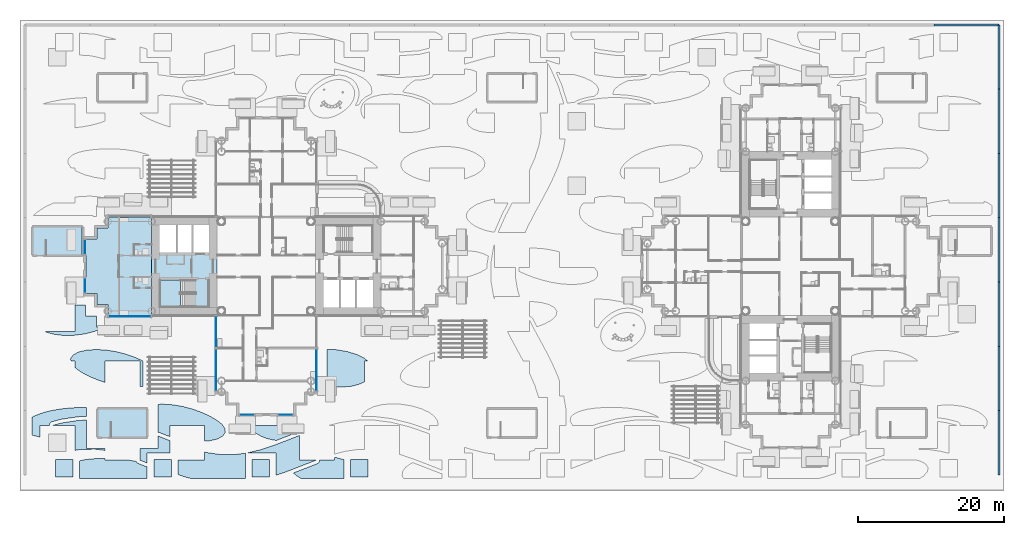
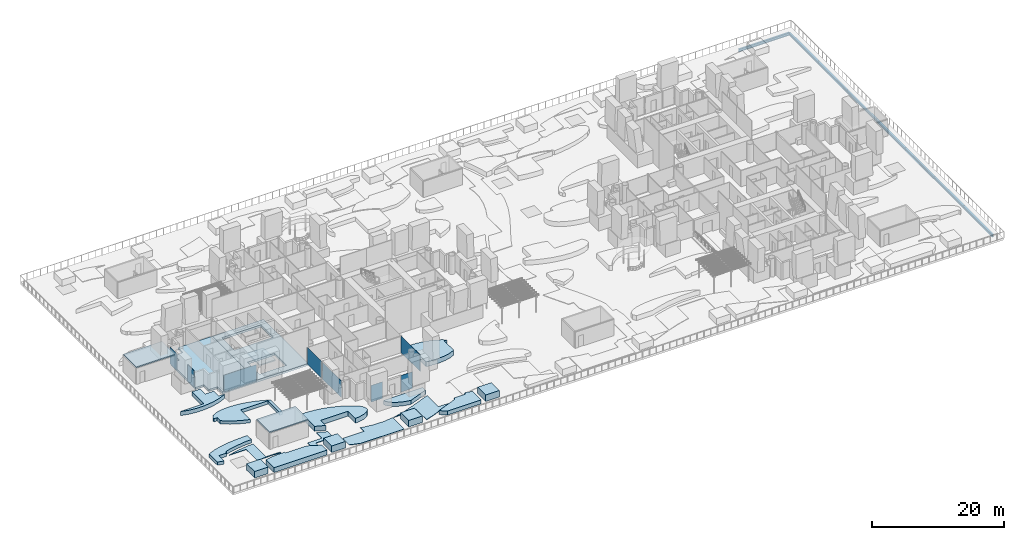
# One storey, part 17 of 40: 21 slabs, 8 beams, 8 plates, 9 elements without a shape of their own.
"""IFC4 building model written with IfcOpenShell, lengths in metres."""

from ifc_helpers import new_model, si_unit, direction, frame, origin, origin_2d, place, context, subcontext, project, spatial, polyline, rectangle, i_section, outline, extrude, material, layer, layer_set, material_profile, profile_set, type_object, element, aggregate, save


model = new_model("IFC4")

# Units and contexts
model_context = context("Model", 3, precision=1e-05, world=origin(), true_north=direction((0.0, 1.0)))
body_context = subcontext(model_context, "Body", "Model", "MODEL_VIEW")
ifc_project = project(units=[si_unit("LENGTHUNIT", "METRE"), si_unit("AREAUNIT", "SQUARE_METRE"), si_unit("VOLUMEUNIT", "CUBIC_METRE"), si_unit("PLANEANGLEUNIT", "RADIAN"), si_unit("MASSUNIT", "GRAM", prefix="KILO")], contexts=[model_context])

# Site, building, storey
site_placement = place(None, origin())
site = spatial("IfcSite", under=ifc_project, at=site_placement, CompositionType="ELEMENT")
building_placement = place(site_placement, origin())
building = spatial("IfcBuilding", under=site, at=building_placement, Name="Ipe Terrace Towers", CompositionType="ELEMENT")
storey_placement = place(building_placement, frame((0.0, 0.0, 24.5)))
storey = spatial("IfcBuildingStorey", under=building, at=storey_placement, Name="L05", CompositionType="ELEMENT", Elevation=24.5)

# Beams
ifc_material_1 = material(Name="Steel S355", Category="steel")
ifc_material_profile = material_profile(ifc_material_1, i_section(OverallWidth=0.300048828125, OverallDepth=0.488037109375, WebThickness=0.010986328125, FlangeThickness=0.01806640625, at=origin_2d()), Name="H-488x300x11x18")
ifc_profile_set = profile_set([ifc_material_profile], Name="Steel S355")
beam_type = type_object("IfcBeamType", Name="H09 EDGE BEAM H-488x300x11x18", PredefinedType="BEAM", material=ifc_profile_set)
beam_1_placement = place(storey_placement, frame((64.64990234375, -28.64990234375, -0.6689453125), z_axis=(0.0, 1.0, 0.0), x_axis=(-1.0, 0.0, 0.0)))
element("IfcBeam", 1, at=beam_1_placement, inside=storey, type_object=beam_type, Name="Edge beam PD-EB-D16-E16", PredefinedType="BEAM", context=body_context, shape_type="SweptSolid", body=[
    extrude(i_section(OverallWidth=0.300048828125, OverallDepth=0.488037109375, WebThickness=0.010986328125, FlangeThickness=0.01806640625, at=origin_2d()), origin(), (0.0, 0.0, 1.0), 8.828857421875),
])
beam_2_placement = place(storey_placement, frame((64.64990234375, -19.821044921875, -0.6689453125), z_axis=(0.0, 1.0, 0.0), x_axis=(-1.0, 0.0, 0.0)))
element("IfcBeam", 2, at=beam_2_placement, inside=storey, type_object=beam_type, Name="Edge beam PD-EB-E16-F16", PredefinedType="BEAM", context=body_context, shape_type="SweptSolid", body=[
    extrude(i_section(OverallWidth=0.300048828125, OverallDepth=0.488037109375, WebThickness=0.010986328125, FlangeThickness=0.01806640625, at=origin_2d()), origin(), (0.0, 0.0, 1.0), 8.828125),
])
beam_3_placement = place(storey_placement, frame((64.64990234375, -10.992919921875, -0.6689453125), z_axis=(0.0, 1.0, 0.0), x_axis=(-1.0, 0.0, 0.0)))
element("IfcBeam", 3, at=beam_3_placement, inside=storey, type_object=beam_type, Name="Edge beam PD-EB-F16-G16", PredefinedType="BEAM", context=body_context, shape_type="SweptSolid", body=[
    extrude(i_section(OverallWidth=0.300048828125, OverallDepth=0.488037109375, WebThickness=0.010986328125, FlangeThickness=0.01806640625, at=origin_2d()), origin(), (0.0, 0.0, 1.0), 8.828857421875),
])
beam_4_placement = place(storey_placement, frame((64.64990234375, -2.1640625, -0.6689453125), z_axis=(0.0, 1.0, 0.0), x_axis=(-1.0, 0.0, 0.0)))
element("IfcBeam", 4, at=beam_4_placement, inside=storey, type_object=beam_type, Name="Edge beam PD-EB-G16-H16", PredefinedType="BEAM", context=body_context, shape_type="SweptSolid", body=[
    extrude(i_section(OverallWidth=0.300048828125, OverallDepth=0.488037109375, WebThickness=0.010986328125, FlangeThickness=0.01806640625, at=origin_2d()), origin(), (0.0, 0.0, 1.0), 8.828125),
])
beam_5_placement = place(storey_placement, frame((64.64990234375, 6.6640625, -0.6689453125), z_axis=(0.0, 1.0, 0.0), x_axis=(-1.0, 0.0, 0.0)))
element("IfcBeam", 5, at=beam_5_placement, inside=storey, type_object=beam_type, Name="Edge beam PD-EB-H16-I16", PredefinedType="BEAM", context=body_context, shape_type="SweptSolid", body=[
    extrude(i_section(OverallWidth=0.300048828125, OverallDepth=0.488037109375, WebThickness=0.010986328125, FlangeThickness=0.01806640625, at=origin_2d()), origin(), (0.0, 0.0, 1.0), 8.828857421875),
])
beam_6_placement = place(storey_placement, frame((64.64990234375, 15.492919921875, -0.6689453125), z_axis=(0.0, 1.0, 0.0), x_axis=(-1.0, 0.0, 0.0)))
element("IfcBeam", 6, at=beam_6_placement, inside=storey, type_object=beam_type, Name="Edge beam PD-EB-I16-J16", PredefinedType="BEAM", context=body_context, shape_type="SweptSolid", body=[
    extrude(i_section(OverallWidth=0.300048828125, OverallDepth=0.488037109375, WebThickness=0.010986328125, FlangeThickness=0.01806640625, at=origin_2d()), origin(), (0.0, 0.0, 1.0), 8.828125),
])
beam_7_placement = place(storey_placement, frame((64.64990234375, 24.321044921875, -0.6689453125), z_axis=(0.0, 1.0, 0.0), x_axis=(-1.0, 0.0, 0.0)))
element("IfcBeam", 7, at=beam_7_placement, inside=storey, type_object=beam_type, Name="Edge beam PD-EB-J16-K16", PredefinedType="BEAM", context=body_context, shape_type="SweptSolid", body=[
    extrude(i_section(OverallWidth=0.300048828125, OverallDepth=0.488037109375, WebThickness=0.010986328125, FlangeThickness=0.01806640625, at=origin_2d()), origin(), (0.0, 0.0, 1.0), 8.828857421875),
])
beam_8_placement = place(storey_placement, frame((55.72998046875, 33.14990234375, -0.6689453125), z_axis=(1.0, 0.0, 0.0), x_axis=(0.0, 1.0, 0.0)))
element("IfcBeam", 8, at=beam_8_placement, inside=storey, type_object=beam_type, Name="Edge beam PD-EB-K15-K16", PredefinedType="BEAM", context=body_context, shape_type="SweptSolid", body=[
    extrude(i_section(OverallWidth=0.300048828125, OverallDepth=0.488037109375, WebThickness=0.010986328125, FlangeThickness=0.01806640625, at=origin_2d()), origin(), (0.0, 0.0, 1.0), 8.919921875),
])

# Slabs
ifc_material_2 = material(Name="Concrete C30/37", Category="concrete")
ifc_layer_1 = layer(ifc_material_2, 0.39990234375)
ifc_layer_set_1 = layer_set([ifc_layer_1], Name="CORE FLOOR SLAB 400 C30-37")
slab_type_1 = type_object("IfcSlabType", Name="CORE FLOOR SLAB 400 C30-37", PredefinedType="FLOOR", material=ifc_layer_set_1)
slab_1_placement = place(storey_placement, frame((0.0, 0.0, -0.39990234375)))
element("IfcSlab", 9, at=slab_1_placement, inside=storey, type_object=slab_type_1, Name="Core floor T1-C2", PredefinedType="FLOOR", context=body_context, shape_type="SweptSolid", body=[
    extrude(outline(polyline([(-51.75, -6.75), (-51.75, 6.75), (-42.75, 6.75), (-42.75, -6.75), (-51.75, -6.75)]), holes=[polyline([(-45.800048828125, -5.550048828125), (-45.800048828125, -1.89990234375), (-50.550048828125, -1.89990234375), (-50.550048828125, -5.550048828125), (-45.800048828125, -5.550048828125)]), polyline([(-50.64990234375, 1.89990234375), (-43.85009765625, 1.89990234375), (-43.85009765625, 5.64990234375), (-50.64990234375, 5.64990234375), (-50.64990234375, 1.89990234375)])]), origin(), (0.0, 0.0, 1.0), 0.39990234375),
])
ifc_material_3 = material(Name="Concrete C30/37", Category="concrete")
ifc_layer_2 = layer(ifc_material_3, 0.60009765625)
ifc_layer_set_2 = layer_set([ifc_layer_2], Name="CURVED GARDEN BED 600")
slab_type_2 = type_object("IfcSlabType", Name="CURVED GARDEN BED 600", PredefinedType="USERDEFINED", material=ifc_layer_set_2)
slab_2_placement = place(storey_placement, frame((0.0, 0.0, -0.02001953125)))
element("IfcSlab", 10, at=slab_2_placement, inside=storey, type_object=slab_type_2, Name="curved garden bed", ObjectType="PLANTER", PredefinedType="USERDEFINED", context=body_context, shape_type="SweptSolid", body=[
    extrude(outline(polyline([(-65.50390625, -19.81103515625), (-64.22607421875, -19.594970703125), (-63.0, -19.466064453125), (-61.823974609375, -19.39794921875), (-60.669921875, -19.3798828125), (-60.669921875, -20.64111328125), (-60.677001953125, -20.64111328125), (-61.551025390625, -20.653076171875), (-61.583984375, -20.654052734375), (-61.85009765625, -20.676025390625), (-61.883056640625, -20.678955078125), (-64.0, -20.992919921875), (-64.027099609375, -20.998046875), (-64.24609375, -21.04296875), (-64.27294921875, -21.049072265625), (-65.41796875, -21.35205078125), (-65.466064453125, -21.366943359375), (-65.510986328125, -21.386962890625), (-65.554931640625, -21.410888671875), (-65.595947265625, -21.43896484375), (-65.633056640625, -21.471923828125), (-65.66796875, -21.507080078125), (-65.698974609375, -21.547119140625), (-65.72509765625, -21.587890625), (-65.748046875, -21.633056640625), (-65.764892578125, -21.678955078125), (-65.779052734375, -21.72705078125), (-65.787109375, -21.77587890625), (-65.7900390625, -21.825927734375), (-65.7900390625, -21.8359375), (-67.090087890625, -21.8359375), (-67.090087890625, -23.449951171875), (-67.1220703125, -23.446044921875), (-68.14599609375, -23.197021484375), (-68.14990234375, -23.195068359375), (-68.14990234375, -20.718994140625), (-67.93310546875, -20.5859375), (-66.778076171875, -20.138916015625), (-65.50390625, -19.81103515625)])), origin(), (0.0, 0.0, 1.0), 0.60009765625),
])
slab_3_placement = place(storey_placement, frame((0.0, 0.0, -0.02001953125)))
element("IfcSlab", 11, at=slab_3_placement, inside=storey, type_object=slab_type_2, Name="curved garden bed", ObjectType="PLANTER", PredefinedType="USERDEFINED", context=body_context, shape_type="SweptSolid", body=[
    extrude(outline(polyline([(-61.76708984375, -11.76611328125), (-60.635009765625, -11.508056640625), (-59.27294921875, -11.430908203125), (-57.840087890625, -11.52490234375), (-56.47412109375, -11.756103515625), (-55.258056640625, -12.074951171875), (-54.20703125, -12.43994140625), (-53.2880859375, -12.830078125), (-52.89990234375, -13.02392578125), (-52.89990234375, -16.493896484375), (-53.3701171875, -16.52099609375), (-53.3701171875, -13.007080078125), (-58.169921875, -13.007080078125), (-58.169921875, -15.944091796875), (-58.241943359375, -15.925048828125), (-59.29296875, -15.56005859375), (-60.2119140625, -15.169921875), (-61.0390625, -14.756103515625), (-61.784912109375, -14.303955078125), (-62.2900390625, -13.89599609375), (-62.2900390625, -13.007080078125), (-62.837890625, -13.007080078125), (-62.876953125, -12.697998046875), (-62.535888671875, -12.179931640625), (-61.76708984375, -11.76611328125)])), origin(), (0.0, 0.0, 1.0), 0.60009765625),
])
ifc_material_4 = material(Name="Concrete C30/37", Category="concrete")
ifc_layer_3 = layer(ifc_material_4, 0.75)
ifc_layer_set_3 = layer_set([ifc_layer_3], Name="CURVED GARDEN BED 750")
slab_type_3 = type_object("IfcSlabType", Name="CURVED GARDEN BED 750", PredefinedType="USERDEFINED", material=ifc_layer_set_3)
slab_4_placement = place(storey_placement, frame((0.0, 0.0, -0.02001953125)))
element("IfcSlab", 12, at=slab_4_placement, inside=storey, type_object=slab_type_3, Name="curved garden bed", ObjectType="PLANTER", PredefinedType="USERDEFINED", context=body_context, shape_type="SweptSolid", body=[
    extrude(outline(polyline([(-25.35009765625, -29.14990234375), (-31.215087890625, -29.14990234375), (-31.784912109375, -28.803955078125), (-32.2939453125, -28.39306640625), (-30.98095703125, -27.884033203125), (-30.97998046875, -27.884033203125), (-30.97509765625, -27.882080078125), (-30.97509765625, -27.882080078125), (-28.97412109375, -27.10107421875), (-28.928955078125, -27.0810546875), (-28.885986328125, -27.055908203125), (-28.845947265625, -27.028076171875), (-28.80908203125, -26.9951171875), (-28.77490234375, -26.958984375), (-28.7451171875, -26.919921875), (-28.718994140625, -26.8779296875), (-28.697021484375, -26.833984375), (-28.678955078125, -26.787109375), (-28.6669921875, -26.739990234375), (-28.658935546875, -26.69091796875), (-28.656005859375, -26.64111328125), (-28.656005859375, -26.635986328125), (-26.610107421875, -26.635986328125), (-26.610107421875, -26.291015625), (-26.5791015625, -26.2900390625), (-26.531005859375, -26.284912109375), (-26.48388671875, -26.27490234375), (-26.443115234375, -26.263916015625), (-25.35009765625, -26.551025390625), (-25.35009765625, -29.14990234375)])), origin(), (0.0, 0.0, 1.0), 0.75),
])
slab_5_placement = place(storey_placement, frame((0.0, 0.0, -0.02001953125)))
element("IfcSlab", 13, at=slab_5_placement, inside=storey, type_object=slab_type_3, Name="curved garden bed", ObjectType="PLANTER", PredefinedType="USERDEFINED", context=body_context, shape_type="SweptSolid", body=[
    extrude(outline(polyline([(-36.047119140625, -23.614990234375), (-36.798095703125, -23.302001953125), (-37.375, -22.955078125), (-37.827880859375, -22.5791015625), (-38.1640625, -22.1650390625), (-38.281005859375, -21.85009765625), (-31.409912109375, -21.85009765625), (-31.409912109375, -22.721923828125), (-31.449951171875, -22.722900390625), (-31.498046875, -22.72900390625), (-31.5458984375, -22.739990234375), (-31.592041015625, -22.756103515625), (-32.7890625, -23.222900390625), (-34.5859375, -23.91796875), (-35.070068359375, -23.863037109375), (-36.047119140625, -23.614990234375)])), origin(), (0.0, 0.0, 1.0), 0.75),
])
slab_6_placement = place(storey_placement, frame((0.0, 0.0, -0.02001953125)))
element("IfcSlab", 14, at=slab_6_placement, inside=storey, type_object=slab_type_3, Name="curved garden bed", ObjectType="PLANTER", PredefinedType="USERDEFINED", context=body_context, shape_type="SweptSolid", body=[
    extrude(outline(polyline([(-60.966064453125, -9.302001953125), (-62.444091796875, -9.489990234375), (-63.85205078125, -9.501953125), (-65.070068359375, -9.363037109375), (-66.047119140625, -9.114990234375), (-66.3740234375, -8.97900390625), (-62.2900390625, -8.97900390625), (-62.2900390625, -5.35009765625), (-60.85009765625, -5.35009765625), (-60.85009765625, -6.85009765625), (-59.35009765625, -6.85009765625), (-59.35009765625, -8.35009765625), (-58.285888671875, -8.35009765625), (-58.43798828125, -8.45703125), (-59.5791015625, -8.945068359375), (-60.966064453125, -9.302001953125)])), origin(), (0.0, 0.0, 1.0), 0.75),
])
ifc_material_5 = material(Name="Concrete C30/37", Category="concrete")
ifc_layer_4 = layer(ifc_material_5, 0.89990234375)
ifc_layer_set_4 = layer_set([ifc_layer_4], Name="CURVED GARDEN BED 900")
slab_type_4 = type_object("IfcSlabType", Name="CURVED GARDEN BED 900", PredefinedType="USERDEFINED", material=ifc_layer_set_4)
slab_7_placement = place(storey_placement, frame((0.0, 0.0, -0.02001953125)))
element("IfcSlab", 15, at=slab_7_placement, inside=storey, type_object=slab_type_4, Name="curved garden bed", ObjectType="PLANTER", PredefinedType="USERDEFINED", context=body_context, shape_type="SweptSolid", body=[
    extrude(outline(polyline([(-53.830078125, -26.824951171875), (-53.80908203125, -26.8701171875), (-53.781982421875, -26.912109375), (-53.751953125, -26.951904296875), (-53.718017578125, -26.989013671875), (-53.679931640625, -27.02197265625), (-53.638916015625, -27.051025390625), (-53.595947265625, -27.075927734375), (-53.550048828125, -27.095947265625), (-52.530029296875, -27.489990234375), (-52.48388671875, -27.506103515625), (-52.43701171875, -27.51611328125), (-52.388916015625, -27.52197265625), (-52.35009765625, -27.52392578125), (-52.35009765625, -29.14990234375), (-61.64990234375, -29.14990234375), (-61.64990234375, -26.73193359375), (-61.049072265625, -26.5859375), (-59.945068359375, -26.450927734375), (-58.81591796875, -26.39599609375), (-58.169921875, -26.39599609375), (-58.169921875, -26.635986328125), (-54.8349609375, -26.635986328125), (-53.947998046875, -26.781982421875), (-53.8349609375, -26.81103515625), (-53.830078125, -26.824951171875)])), origin(), (0.0, 0.0, 1.0), 0.89990234375),
])
slab_8_placement = place(storey_placement, frame((0.0, 0.0, -0.02001953125)))
element("IfcSlab", 16, at=slab_8_placement, inside=storey, type_object=slab_type_4, Name="curved garden bed", ObjectType="PLANTER", PredefinedType="USERDEFINED", context=body_context, shape_type="SweptSolid", body=[
    extrude(outline(polyline([(-47.47412109375, -19.256103515625), (-46.258056640625, -19.574951171875), (-45.20703125, -19.93994140625), (-44.2880859375, -20.330078125), (-43.4609375, -20.743896484375), (-42.715087890625, -21.196044921875), (-42.094970703125, -21.697021484375), (-41.694091796875, -22.243896484375), (-41.623046875, -22.802001953125), (-41.964111328125, -23.320068359375), (-42.73291015625, -23.73388671875), (-43.864990234375, -23.991943359375), (-44.449951171875, -24.02490234375), (-44.449951171875, -21.8359375), (-49.25, -21.8359375), (-49.25, -23.40087890625), (-50.02392578125, -23.09912109375), (-50.02392578125, -23.097900390625), (-50.031005859375, -23.095947265625), (-50.031982421875, -23.094970703125), (-50.68994140625, -22.841064453125), (-50.736083984375, -22.825927734375), (-50.782958984375, -22.81494140625), (-50.8310546875, -22.80908203125), (-50.8701171875, -22.80810546875), (-50.8701171875, -18.965087890625), (-50.27294921875, -18.930908203125), (-48.840087890625, -19.02490234375), (-47.47412109375, -19.256103515625)])), origin(), (0.0, 0.0, 1.0), 0.89990234375),
])
slab_9_placement = place(storey_placement, frame((0.0, 0.0, -0.02001953125)))
element("IfcSlab", 17, at=slab_9_placement, inside=storey, type_object=slab_type_4, Name="curved garden bed", ObjectType="PLANTER", PredefinedType="USERDEFINED", context=body_context, shape_type="SweptSolid", body=[
    extrude(outline(polyline([(-23.635009765625, -12.089111328125), (-22.5869140625, -12.593017578125), (-22.055908203125, -13.007080078125), (-22.489990234375, -13.007080078125), (-22.489990234375, -15.844970703125), (-22.531982421875, -15.8779296875), (-23.282958984375, -16.22412109375), (-24.31298828125, -16.48095703125), (-25.60498046875, -16.60107421875), (-27.06298828125, -16.5458984375), (-27.64990234375, -16.450927734375), (-27.64990234375, -11.408935546875), (-26.43701171875, -11.4541015625), (-24.9619140625, -11.693115234375), (-23.635009765625, -12.089111328125)])), origin(), (0.0, 0.0, 1.0), 0.89990234375),
])

# Stair, slab
ifc_material_6 = material(Name="Concrete C30/37", Category="concrete")
stair_type = type_object("IfcStairType", Name="Protected exit stair", PredefinedType="HALF_TURN_STAIR", material=ifc_material_6)
stair_placement = place(storey_placement, origin())
stair = element("IfcStair", 18, at=stair_placement, inside=storey, type_object=stair_type, Name="L05 Exit stair T1-C2", PredefinedType="HALF_TURN_STAIR")
ifc_material_7 = material(Name="Concrete C30/37", Category="concrete")
ifc_layer_5 = layer(ifc_material_7, 0.199951171875)
ifc_layer_set_5 = layer_set([ifc_layer_5], Name="Exit stair landing 200")
slab_type_5 = type_object("IfcSlabType", Name="Exit stair landing 200", PredefinedType="LANDING", material=ifc_layer_set_5)
slab_10_placement = place(storey_placement, frame((0.0, 0.0, 1.5)))
slab_10 = element("IfcSlab", 19, at=slab_10_placement, type_object=slab_type_5, Name="T1-ST2 landing 1", PredefinedType="LANDING", context=body_context, shape_type="SweptSolid", body=[
    extrude(outline(polyline([(-47.780029296875, -1.89990234375), (-50.550048828125, -1.89990234375), (-50.550048828125, -5.550048828125), (-47.780029296875, -5.550048828125), (-47.780029296875, -1.89990234375)])), origin(), (0.0, 0.0, 1.0), 0.199951171875),
])
aggregate(stair, [slab_10])

# Slabs
ifc_material_8 = material(Name="Concrete C40/50", Category="concrete")
ifc_layer_6 = layer(ifc_material_8, 0.39990234375)
ifc_layer_set_6 = layer_set([ifc_layer_6], Name="FLAT PLATE SLAB 400 C40-50")
slab_type_6 = type_object("IfcSlabType", Name="FLAT PLATE SLAB 400 C40-50", PredefinedType="FLOOR", material=ifc_layer_set_6)
slab_11_placement = place(storey_placement, frame((0.0, 0.0, -0.39990234375)))
element("IfcSlab", 20, at=slab_11_placement, inside=storey, type_object=slab_type_6, Name="Slab T1-FS-Z12", PredefinedType="FLOOR", context=body_context, shape_type="SweptSolid", body=[
    extrude(outline(polyline([(-57.75, -6.75), (-57.75, -5.25), (-59.25, -5.25), (-59.25, -3.75), (-60.75, -3.75), (-60.75, 3.75), (-59.25, 3.75), (-59.25, 5.25), (-57.75, 5.25), (-57.75, 6.75), (-51.75, 6.75), (-51.75, -6.75), (-57.75, -6.75)])), origin(), (0.0, 0.0, 1.0), 0.39990234375),
])
ifc_material_9 = material(Name="Concrete C30/37 paving", Category="concrete")
ifc_layer_7 = layer(ifc_material_9, 0.080078125)
ifc_layer_set_7 = layer_set([ifc_layer_7], Name="GARDEN PAVING 80")
slab_type_7 = type_object("IfcSlabType", Name="GARDEN PAVING 80", PredefinedType="USERDEFINED", material=ifc_layer_set_7)
slab_12_placement = place(storey_placement, frame((0.0, 0.0, -0.02001953125)))
element("IfcSlab", 21, at=slab_12_placement, inside=storey, type_object=slab_type_7, Name="garden paving path", ObjectType="PAVING", PredefinedType="USERDEFINED", context=body_context, shape_type="SweptSolid", body=[
    extrude(outline(polyline([(-61.81005859375, -21.174072265625), (-61.5439453125, -21.153076171875), (-60.669921875, -21.14111328125), (-60.669921875, -25.0), (-58.169921875, -25.0), (-58.169921875, -25.2890625), (-59.509033203125, -25.125), (-61.35595703125, -25.14990234375), (-62.2900390625, -25.2890625), (-62.2900390625, -21.8359375), (-65.291015625, -21.8359375), (-64.14501953125, -21.531982421875), (-63.926025390625, -21.487060546875), (-61.81005859375, -21.174072265625)])), origin(), (0.0, 0.0, 1.0), 0.080078125),
])
slab_13_placement = place(storey_placement, frame((0.0, 0.0, -0.02001953125)))
element("IfcSlab", 22, at=slab_13_placement, inside=storey, type_object=slab_type_7, Name="garden paving path", ObjectType="PAVING", PredefinedType="USERDEFINED", context=body_context, shape_type="SweptSolid", body=[
    extrude(outline(polyline([(-50.2119140625, -23.56201171875), (-50.2060546875, -23.56396484375), (-49.25, -23.93798828125), (-49.25, -25.64990234375), (-52.35009765625, -25.64990234375), (-52.35009765625, -27.02392578125), (-53.3701171875, -26.6298828125), (-53.3701171875, -25.0), (-50.8701171875, -25.0), (-50.8701171875, -23.30810546875), (-50.2119140625, -23.56201171875)])), origin(), (0.0, 0.0, 1.0), 0.080078125),
])
slab_14_placement = place(storey_placement, frame((0.0, 0.0, -0.02001953125)))
element("IfcSlab", 23, at=slab_14_placement, inside=storey, type_object=slab_type_7, Name="garden paving path", ObjectType="PAVING", PredefinedType="USERDEFINED", context=body_context, shape_type="SweptSolid", body=[
    extrude(outline(polyline([(-44.18505859375, -25.5810546875), (-42.31201171875, -25.85302734375), (-40.465087890625, -25.8720703125), (-38.85009765625, -25.6689453125), (-38.85009765625, -29.14990234375), (-46.345947265625, -29.14990234375), (-47.20703125, -28.924072265625), (-47.35595703125, -28.87890625), (-48.14990234375, -28.60302734375), (-48.14990234375, -26.635986328125), (-44.449951171875, -26.635986328125), (-44.449951171875, -25.511962890625), (-44.18505859375, -25.5810546875)])), origin(), (0.0, 0.0, 1.0), 0.080078125),
])
slab_15_placement = place(storey_placement, frame((0.0, 0.0, -0.02001953125)))
element("IfcSlab", 24, at=slab_15_placement, inside=storey, type_object=slab_type_7, Name="garden paving path", ObjectType="PAVING", PredefinedType="USERDEFINED", context=body_context, shape_type="SweptSolid", body=[
    extrude(outline(polyline([(-38.597900390625, -25.637939453125), (-36.676025390625, -25.1640625), (-34.680908203125, -24.490966796875), (-32.60791015625, -23.68896484375), (-31.409912109375, -23.220947265625), (-31.409912109375, -26.635986328125), (-29.156005859375, -26.635986328125), (-31.156005859375, -27.416015625), (-31.160888671875, -27.41796875), (-33.278076171875, -28.238037109375), (-33.361083984375, -28.26806640625), (-34.64990234375, -28.701904296875), (-34.64990234375, -25.64990234375), (-38.696044921875, -25.64990234375), (-38.597900390625, -25.637939453125)])), origin(), (0.0, 0.0, 1.0), 0.080078125),
])
ifc_material_10 = material(Name="Concrete C30/37", Category="concrete")
ifc_layer_8 = layer(ifc_material_10, 0.199951171875)
ifc_layer_set_8 = layer_set([ifc_layer_8], Name="STAIR HEAD ROOF SLAB 200 C30-37")
slab_type_8 = type_object("IfcSlabType", Name="STAIR HEAD ROOF SLAB 200 C30-37", PredefinedType="ROOF", material=ifc_layer_set_8)
slab_16_placement = place(storey_placement, frame((0.0, 0.0, 3.0)))
element("IfcSlab", 25, at=slab_16_placement, inside=storey, type_object=slab_type_8, Name="Stair head roof PS4", PredefinedType="ROOF", context=body_context, shape_type="SweptSolid", body=[
    extrude(outline(polyline([(-59.169921875, -23.5), (-52.3701171875, -23.5), (-52.3701171875, -19.550048828125), (-59.169921875, -19.550048828125), (-59.169921875, -23.5)])), origin(), (0.0, 0.0, 1.0), 0.199951171875),
])
slab_17_placement = place(storey_placement, frame((0.0, 0.0, 3.0)))
element("IfcSlab", 26, at=slab_17_placement, inside=storey, type_object=slab_type_8, Name="Stair head roof PS7", PredefinedType="ROOF", context=body_context, shape_type="SweptSolid", body=[
    extrude(outline(polyline([(-68.090087890625, 1.5), (-61.2900390625, 1.5), (-61.2900390625, 5.449951171875), (-68.090087890625, 5.449951171875), (-68.090087890625, 1.5)])), origin(), (0.0, 0.0, 1.0), 0.199951171875),
])

# Curtain wall, plate
ifc_material_11 = material(Name="Aluminium alloy 6063-T6", Category="aluminium")
ifc_layer_9 = layer(ifc_material_11, 0.320068359375)
ifc_layer_set_9 = layer_set([ifc_layer_9], Name="TOWER UNITISED CURTAIN WALL")
curtain_wall_type = type_object("IfcCurtainWallType", Name="TOWER UNITISED CURTAIN WALL", PredefinedType="NOTDEFINED", material=ifc_layer_set_9)
curtain_wall_1_placement = place(storey_placement, origin())
curtain_wall_1 = element("IfcCurtainWall", 27, at=curtain_wall_1_placement, inside=storey, type_object=curtain_wall_type, Name="T1-CW-L05-04a curtain wall", PredefinedType="NOTDEFINED")
ifc_material_12 = material(Name="Glass, clear laminated", Category="glass")
ifc_layer_10 = layer(ifc_material_12, 0.031982421875)
ifc_layer_set_10 = layer_set([ifc_layer_10], Name="TOWER UNITISED GLASS PANEL 32")
plate_type = type_object("IfcPlateType", Name="TOWER UNITISED GLASS PANEL 32", PredefinedType="CURTAIN_PANEL", material=ifc_layer_set_10)
plate_1_placement = place(storey_placement, frame((-54.75048828125, -6.909912109375, 0.0), z_axis=(0.0, 0.0, 1.0), x_axis=(1.0, 0.0, 0.0)))
plate_1 = element("IfcPlate", 28, at=plate_1_placement, type_object=plate_type, Name="T1-CW-L05-04a panel 1", PredefinedType="CURTAIN_PANEL", context=body_context, shape_type="SweptSolid", body=[
    extrude(rectangle(XDim=5.759033203125, YDim=0.031982421875, at=origin_2d()), origin(), (0.0, 0.0, 1.0), 3.10009765625),
])
aggregate(curtain_wall_1, [plate_1])

curtain_wall_2_placement = place(storey_placement, origin())
curtain_wall_2 = element("IfcCurtainWall", 29, at=curtain_wall_2_placement, inside=storey, type_object=curtain_wall_type, Name="T1-CW-L05-06a curtain wall", PredefinedType="NOTDEFINED")
plate_2_placement = place(storey_placement, frame((-42.909912109375, -9.0, 0.0), z_axis=(0.0, 0.0, 1.0), x_axis=(0.0, -1.0, 0.0)))
plate_2 = element("IfcPlate", 30, at=plate_2_placement, type_object=plate_type, Name="T1-CW-L05-06a panel 1", PredefinedType="CURTAIN_PANEL", context=body_context, shape_type="SweptSolid", body=[
    extrude(rectangle(XDim=4.260009765625, YDim=0.031982421875, at=origin_2d()), origin(), (0.0, 0.0, 1.0), 3.10009765625),
])
aggregate(curtain_wall_2, [plate_2])

curtain_wall_3_placement = place(storey_placement, origin())
curtain_wall_3 = element("IfcCurtainWall", 31, at=curtain_wall_3_placement, inside=storey, type_object=curtain_wall_type, Name="T1-CW-L05-07a curtain wall", PredefinedType="NOTDEFINED")
plate_3_placement = place(storey_placement, frame((-42.909912109375, -14.25, 0.0), z_axis=(0.0, 0.0, 1.0), x_axis=(0.0, -1.0, 0.0)))
plate_3 = element("IfcPlate", 32, at=plate_3_placement, type_object=plate_type, Name="T1-CW-L05-07a panel 1", PredefinedType="CURTAIN_PANEL", context=body_context, shape_type="SweptSolid", body=[
    extrude(rectangle(XDim=5.760009765625, YDim=0.031982421875, at=origin_2d()), origin(), (0.0, 0.0, 1.0), 3.10009765625),
])
aggregate(curtain_wall_3, [plate_3])

curtain_wall_4_placement = place(storey_placement, origin())
curtain_wall_4 = element("IfcCurtainWall", 33, at=curtain_wall_4_placement, inside=storey, type_object=curtain_wall_type, Name="T1-CW-L05-12a curtain wall", PredefinedType="NOTDEFINED")
plate_4_placement = place(storey_placement, frame((-38.625, -20.409912109375, 0.0), z_axis=(0.0, 0.0, 1.0), x_axis=(1.0, 0.0, 0.0)))
plate_4 = element("IfcPlate", 34, at=plate_4_placement, type_object=plate_type, Name="T1-CW-L05-12a panel 1", PredefinedType="CURTAIN_PANEL", context=body_context, shape_type="SweptSolid", body=[
    extrude(rectangle(XDim=2.010009765625, YDim=0.031982421875, at=origin_2d()), origin(), (0.0, 0.0, 1.0), 3.10009765625),
])
aggregate(curtain_wall_4, [plate_4])

curtain_wall_5_placement = place(storey_placement, origin())
curtain_wall_5 = element("IfcCurtainWall", 35, at=curtain_wall_5_placement, inside=storey, type_object=curtain_wall_type, Name="T1-CW-L05-12c curtain wall", PredefinedType="NOTDEFINED")
plate_5_placement = place(storey_placement, frame((-33.375, -20.409912109375, 0.0), z_axis=(0.0, 0.0, 1.0), x_axis=(1.0, 0.0, 0.0)))
plate_5 = element("IfcPlate", 36, at=plate_5_placement, type_object=plate_type, Name="T1-CW-L05-12c panel 1", PredefinedType="CURTAIN_PANEL", context=body_context, shape_type="SweptSolid", body=[
    extrude(rectangle(XDim=2.010009765625, YDim=0.031982421875, at=origin_2d()), origin(), (0.0, 0.0, 1.0), 3.10009765625),
])
aggregate(curtain_wall_5, [plate_5])

curtain_wall_6_placement = place(storey_placement, origin())
curtain_wall_6 = element("IfcCurtainWall", 37, at=curtain_wall_6_placement, inside=storey, type_object=curtain_wall_type, Name="T1-CW-L05-17a curtain wall", PredefinedType="NOTDEFINED")
plate_6_placement = place(storey_placement, frame((-29.090087890625, -14.25, 0.0), z_axis=(0.0, 0.0, 1.0), x_axis=(0.0, 1.0, 0.0)))
plate_6 = element("IfcPlate", 38, at=plate_6_placement, type_object=plate_type, Name="T1-CW-L05-17a panel 1", PredefinedType="CURTAIN_PANEL", context=body_context, shape_type="SweptSolid", body=[
    extrude(rectangle(XDim=5.760009765625, YDim=0.031982421875, at=origin_2d()), origin(), (0.0, 0.0, 1.0), 3.10009765625),
])
aggregate(curtain_wall_6, [plate_6])

curtain_wall_7_placement = place(storey_placement, origin())
curtain_wall_7 = element("IfcCurtainWall", 39, at=curtain_wall_7_placement, inside=storey, type_object=curtain_wall_type, Name="T1-CW-L05-51a curtain wall", PredefinedType="NOTDEFINED")
plate_7_placement = place(storey_placement, frame((-60.909912109375, 2.625, 0.0), z_axis=(0.0, 0.0, 1.0), x_axis=(0.0, -1.0, 0.0)))
plate_7 = element("IfcPlate", 40, at=plate_7_placement, type_object=plate_type, Name="T1-CW-L05-51a panel 1", PredefinedType="CURTAIN_PANEL", context=body_context, shape_type="SweptSolid", body=[
    extrude(rectangle(XDim=2.010009765625, YDim=0.031982421875, at=origin_2d()), origin(), (0.0, 0.0, 1.0), 3.10009765625),
])
aggregate(curtain_wall_7, [plate_7])

curtain_wall_8_placement = place(storey_placement, origin())
curtain_wall_8 = element("IfcCurtainWall", 41, at=curtain_wall_8_placement, inside=storey, type_object=curtain_wall_type, Name="T1-CW-L05-51c curtain wall", PredefinedType="NOTDEFINED")
plate_8_placement = place(storey_placement, frame((-60.909912109375, -2.625, 0.0), z_axis=(0.0, 0.0, 1.0), x_axis=(0.0, -1.0, 0.0)))
plate_8 = element("IfcPlate", 42, at=plate_8_placement, type_object=plate_type, Name="T1-CW-L05-51c panel 1", PredefinedType="CURTAIN_PANEL", context=body_context, shape_type="SweptSolid", body=[
    extrude(rectangle(XDim=2.010009765625, YDim=0.031982421875, at=origin_2d()), origin(), (0.0, 0.0, 1.0), 3.10009765625),
])
aggregate(curtain_wall_8, [plate_8])

# Slabs
ifc_material_13 = material(Name="Concrete C30/37", Category="concrete")
ifc_layer_11 = layer(ifc_material_13, 1.199951171875)
ifc_layer_set_11 = layer_set([ifc_layer_11], Name="TREE PIT PLANTER 2400 x 2400 x 1200")
slab_type_9 = type_object("IfcSlabType", Name="TREE PIT PLANTER 2400 x 2400 x 1200", PredefinedType="USERDEFINED", material=ifc_layer_set_11)
slab_18_placement = place(storey_placement, origin())
element("IfcSlab", 43, at=slab_18_placement, inside=storey, type_object=slab_type_9, Name="planter", ObjectType="PLANTER", PredefinedType="USERDEFINED", context=body_context, shape_type="SweptSolid", body=[
    extrude(outline(polyline([(-64.949951171875, -28.949951171875), (-62.550048828125, -28.949951171875), (-62.550048828125, -26.550048828125), (-64.949951171875, -26.550048828125), (-64.949951171875, -28.949951171875)])), origin(), (0.0, 0.0, 1.0), 1.199951171875),
])
slab_19_placement = place(storey_placement, origin())
element("IfcSlab", 44, at=slab_19_placement, inside=storey, type_object=slab_type_9, Name="planter", ObjectType="PLANTER", PredefinedType="USERDEFINED", context=body_context, shape_type="SweptSolid", body=[
    extrude(outline(polyline([(-51.449951171875, -28.949951171875), (-49.050048828125, -28.949951171875), (-49.050048828125, -26.550048828125), (-51.449951171875, -26.550048828125), (-51.449951171875, -28.949951171875)])), origin(), (0.0, 0.0, 1.0), 1.199951171875),
])
slab_20_placement = place(storey_placement, origin())
element("IfcSlab", 45, at=slab_20_placement, inside=storey, type_object=slab_type_9, Name="planter", ObjectType="PLANTER", PredefinedType="USERDEFINED", context=body_context, shape_type="SweptSolid", body=[
    extrude(outline(polyline([(-37.949951171875, -28.949951171875), (-35.550048828125, -28.949951171875), (-35.550048828125, -26.550048828125), (-37.949951171875, -26.550048828125), (-37.949951171875, -28.949951171875)])), origin(), (0.0, 0.0, 1.0), 1.199951171875),
])
slab_21_placement = place(storey_placement, origin())
element("IfcSlab", 46, at=slab_21_placement, inside=storey, type_object=slab_type_9, Name="planter", ObjectType="PLANTER", PredefinedType="USERDEFINED", context=body_context, shape_type="SweptSolid", body=[
    extrude(outline(polyline([(-24.449951171875, -28.949951171875), (-22.050048828125, -28.949951171875), (-22.050048828125, -26.550048828125), (-24.449951171875, -26.550048828125), (-24.449951171875, -28.949951171875)])), origin(), (0.0, 0.0, 1.0), 1.199951171875),
])

save(model, "model.ifc")
